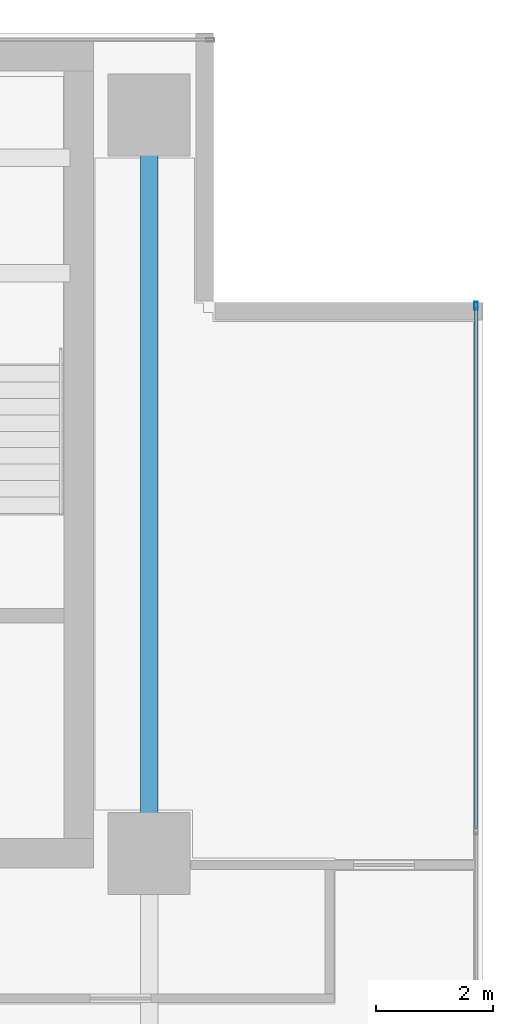
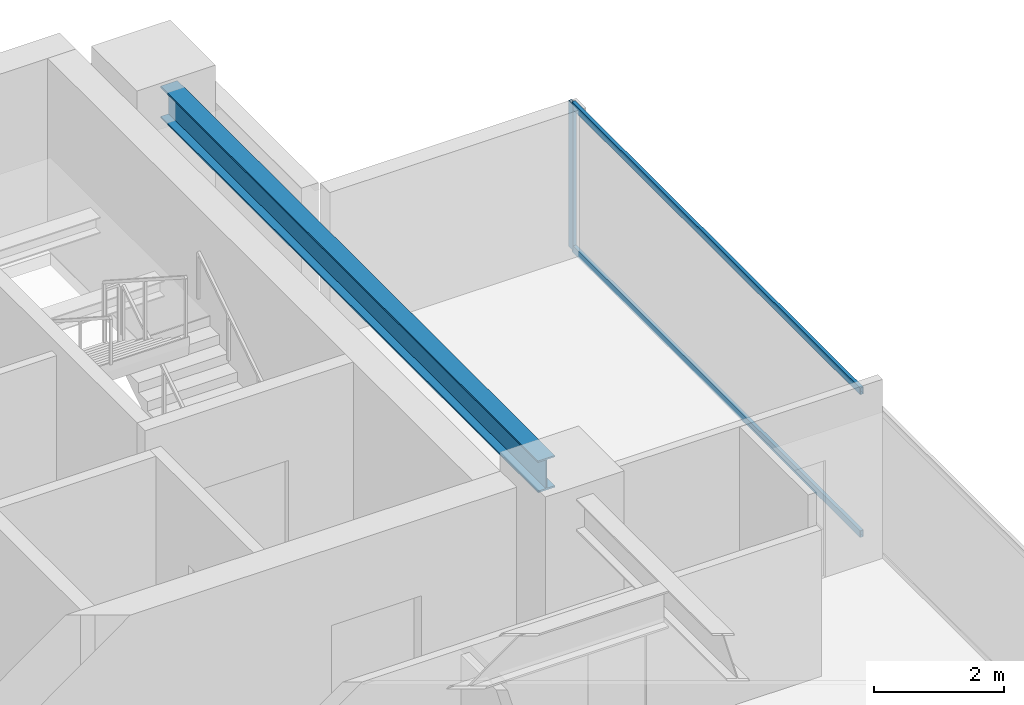
# One storey, part 14 of 26: 3 members, 1 beam, 1 element without a shape of its own.
"""IFC4 building model written with IfcOpenShell, lengths in metres."""

from ifc_helpers import new_model, si_unit, direction, frame, origin, origin_2d, place, context, subcontext, project, spatial, hollow_rectangle, i_section, extrude, source, transform, mapped, material, layer, layer_set, material_profile, profile_set, type_object, element, aggregate, save


model = new_model("IFC4")

# Units and contexts
model_context = context("Model", 3, precision=1e-05, world=origin(), true_north=direction((0.0, 1.0)))
body_context = subcontext(model_context, "Body", "Model", "MODEL_VIEW")
ifc_project = project(units=[si_unit("LENGTHUNIT", "METRE"), si_unit("AREAUNIT", "SQUARE_METRE"), si_unit("VOLUMEUNIT", "CUBIC_METRE"), si_unit("PLANEANGLEUNIT", "RADIAN"), si_unit("MASSUNIT", "GRAM", prefix="KILO")], contexts=[model_context])

# Site, building, storey
site_placement = place(None, origin())
site = spatial("IfcSite", under=ifc_project, at=site_placement, CompositionType="ELEMENT")
building_placement = place(site_placement, origin())
building = spatial("IfcBuilding", under=site, at=building_placement, Name="Sumidabori Civic Tower", CompositionType="ELEMENT")
storey_placement = place(building_placement, frame((0.0, 0.0, 250.39990234375)))
storey = spatial("IfcBuildingStorey", under=building, at=storey_placement, Name="L65", CompositionType="ELEMENT", Elevation=250.39990234375)

# Beam
ifc_material_1 = material(Name="Steel SN490", Category="steel")
ifc_material_profile_1 = material_profile(ifc_material_1, i_section(OverallWidth=0.300048828125, OverallDepth=0.60009765625, WebThickness=0.015380859375, FlangeThickness=0.030029296875, at=origin_2d()), Name="HE 600 B")
ifc_profile_set_1 = profile_set([ifc_material_profile_1], Name="Steel SN490")
beam_type = type_object("IfcBeamType", Name="BM-GIRD-600", PredefinedType="BEAM", material=ifc_profile_set_1)
shared_shape_1 = source(origin(), body_context, "Body", "SweptSolid", [
    extrude(i_section(OverallWidth=0.300048828125, OverallDepth=0.60009765625, WebThickness=0.015380859375, FlangeThickness=0.030029296875, at=origin_2d()), origin(), (0.0, 0.0, 1.0), 11.64013671875),
])
beam_placement = place(storey_placement, frame((16.800048828125, 10.679931640625, 3.070068359375), z_axis=(0.0, 1.0, 0.0), x_axis=(-1.0, 0.0, 0.0)))
element("IfcBeam", 1, at=beam_placement, inside=storey, type_object=beam_type, Name="Primary Girder L65 GY-17", PredefinedType="BEAM", context=body_context, shape_type="MappedRepresentation", body=[
    mapped(shared_shape_1, transform((0.0, 0.0, 0.0), x_axis=(1.0, 0.0, 0.0), y_axis=(0.0, 1.0, 0.0), z_axis=(0.0, 0.0, 1.0), scale=1.0)),
])

# Curtain wall, members
ifc_material_2 = material(Name="Anodised Bronze Aluminium AW-6063-T6", Category="aluminium")
ifc_layer = layer(ifc_material_2, 0.179931640625, Name="Anodised Bronze Aluminium AW-6063-T6")
ifc_layer_set = layer_set([ifc_layer], Name="Anodised Bronze Aluminium AW-6063-T6")
curtain_wall_type = type_object("IfcCurtainWallType", Name="CW-SYS-5", PredefinedType="NOTDEFINED", material=ifc_layer_set)
curtain_wall_placement = place(storey_placement, origin())
curtain_wall = element("IfcCurtainWall", 2, at=curtain_wall_placement, inside=storey, type_object=curtain_wall_type, Name="Curtain Wall CW:L65:R04", PredefinedType="NOTDEFINED")
ifc_material_profile_2 = material_profile(ifc_material_2, hollow_rectangle(XDim=0.06005859375, YDim=0.139892578125, WallThickness=0.0048828125, at=origin_2d()), Name="ALU MULLION 140x60")
ifc_profile_set_2 = profile_set([ifc_material_profile_2], Name="Anodised Bronze Aluminium AW-6063-T6")
member_type_1 = type_object("IfcMemberType", Name="CW-MUL-140", PredefinedType="MULLION", material=ifc_profile_set_2)
shared_shape_2 = source(origin(), body_context, "Body", "SweptSolid", [
    extrude(hollow_rectangle(XDim=0.06005859375, YDim=0.139892578125, WallThickness=0.0048828125, at=origin_2d()), origin(), (0.0, 0.0, 1.0), 2.75),
])
member_1_placement = place(storey_placement, frame((22.3798828125, 19.5400390625, 0.0), z_axis=(0.0, 0.0, 1.0), x_axis=(-1.0, 0.0, 0.0)))
member_1 = element("IfcMember", 3, at=member_1_placement, type_object=member_type_1, Name="CW-5 mullion 4", PredefinedType="MULLION", context=body_context, shape_type="MappedRepresentation", body=[
    mapped(shared_shape_2, transform((0.0, 0.0, 0.0), x_axis=(1.0, 0.0, 0.0), y_axis=(0.0, 1.0, 0.0), z_axis=(0.0, 0.0, 1.0), scale=1.0)),
])
ifc_material_profile_3 = material_profile(ifc_material_2, hollow_rectangle(XDim=0.06005859375, YDim=0.1298828125, WallThickness=0.0048828125, at=origin_2d()), Name="ALU TRANSOM 130x60")
ifc_profile_set_3 = profile_set([ifc_material_profile_3], Name="Anodised Bronze Aluminium AW-6063-T6")
member_type_2 = type_object("IfcMemberType", Name="CW-TRN-130", PredefinedType="USERDEFINED", material=ifc_profile_set_3)
shared_shape_3 = source(origin(), body_context, "Body", "SweptSolid", [
    extrude(hollow_rectangle(XDim=0.06005859375, YDim=0.1298828125, WallThickness=0.0048828125, at=origin_2d()), origin(), (0.0, 0.0, 1.0), 8.889892578125),
])
member_2_placement = place(storey_placement, frame((22.3798828125, 10.6201171875, 0.030029296875), z_axis=(0.0, 1.0, 0.0), x_axis=(-1.0, 0.0, 0.0)))
member_2 = element("IfcMember", 4, at=member_2_placement, type_object=member_type_2, Name="CW-5 transom 3.1", ObjectType="TRANSOM", PredefinedType="USERDEFINED", context=body_context, shape_type="MappedRepresentation", body=[
    mapped(shared_shape_3, transform((0.0, 0.0, 0.0), x_axis=(1.0, 0.0, 0.0), y_axis=(0.0, 1.0, 0.0), z_axis=(0.0, 0.0, 1.0), scale=1.0)),
])
member_3_placement = place(storey_placement, frame((22.3798828125, 10.6201171875, 2.72021484375), z_axis=(0.0, 1.0, 0.0), x_axis=(-1.0, 0.0, 0.0)))
member_3 = element("IfcMember", 5, at=member_3_placement, type_object=member_type_2, Name="CW-5 transom 3.2", ObjectType="TRANSOM", PredefinedType="USERDEFINED", context=body_context, shape_type="MappedRepresentation", body=[
    mapped(shared_shape_3, transform((0.0, 0.0, 0.0), x_axis=(1.0, 0.0, 0.0), y_axis=(0.0, 1.0, 0.0), z_axis=(0.0, 0.0, 1.0), scale=1.0)),
])
aggregate(curtain_wall, [member_1, member_2, member_3])

save(model, "model.ifc")
